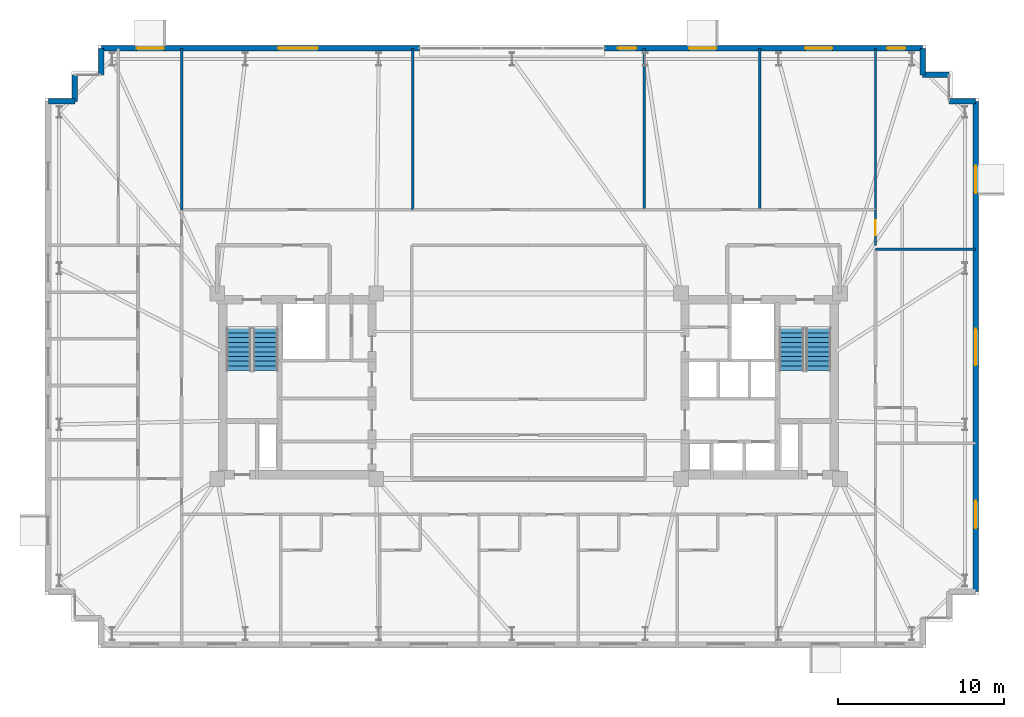
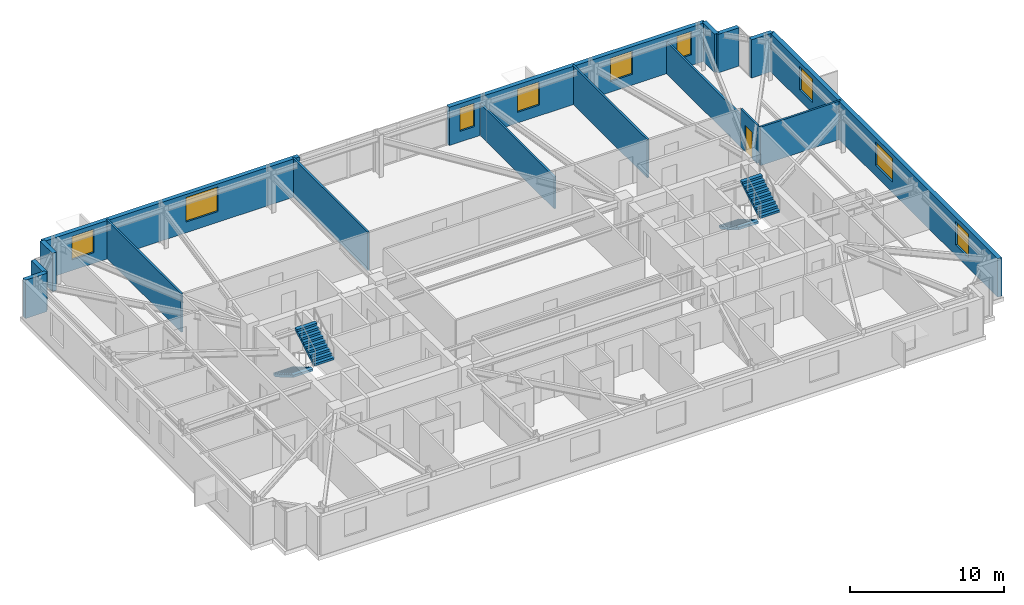
# One storey, part 16 of 18: 16 walls, 9 windows, 4 stair flights, 1 door, 10 openings, 2 elements without a shape of their own.
"""IFC4 building model written with IfcOpenShell, lengths in metres."""

from ifc_helpers import new_model, si_unit, direction, frame, frame_2d, origin, place, context, subcontext, project, spatial, polyline, rectangle, outline, extrude, material, layer, layer_set, type_object, element, fill, aggregate, save


model = new_model("IFC4")

# Units and contexts
model_context = context("Model", 3, precision=1e-05, world=origin(), true_north=direction((0.0, 1.0)))
body_context = subcontext(model_context, "Body", "Model", "MODEL_VIEW")
ifc_project = project(units=[si_unit("LENGTHUNIT", "METRE"), si_unit("AREAUNIT", "SQUARE_METRE"), si_unit("VOLUMEUNIT", "CUBIC_METRE"), si_unit("PLANEANGLEUNIT", "RADIAN"), si_unit("MASSUNIT", "GRAM", prefix="KILO")], contexts=[model_context])

# Site, building, storey
site_placement = place(None, origin())
site = spatial("IfcSite", under=ifc_project, at=site_placement, CompositionType="ELEMENT")
building_placement = place(site_placement, origin())
building = spatial("IfcBuilding", under=site, at=building_placement, Name="Qobustan Lattice House", CompositionType="ELEMENT")
storey_placement = place(building_placement, frame((0.0, 0.0, 154.449951171875)))
storey = spatial("IfcBuildingStorey", under=building, at=storey_placement, Name="L43", CompositionType="ELEMENT", Elevation=154.449951171875)

# Walls
ifc_material_1 = material(Name="Precast concrete C40/50", Category="concrete")
ifc_layer_1 = layer(ifc_material_1, 0.320068359375)
ifc_layer_set_1 = layer_set([ifc_layer_1], Name="Precast concrete C40/50")
wall_type_1 = type_object("IfcWallType", Name="WAL-EXT-STONE-320", PredefinedType="SOLIDWALL", material=ifc_layer_set_1)
for number, where, z_axis, x_axis, name in (
    (1, (-29.0, 17.199951171875, 0.0), (0.0, 0.0, 1.0), (1.0, 0.0, 0.0), "L43 exterior limestone-clad wall 6"),
    (2, (-27.39990234375, 17.199951171875, 0.0), (0.0, 0.0, 1.0), (0.0, 1.0, 0.0), "L43 exterior limestone-clad wall 7"),
):
    element("IfcWall", number, at=place(storey_placement, frame(where, z_axis=z_axis, x_axis=x_axis)), inside=storey, type_object=wall_type_1, Name=name, PredefinedType="SOLIDWALL", context=body_context, shape_type="SweptSolid", body=[
        extrude(rectangle(XDim=1.60009765625, YDim=0.320068359375, at=frame_2d((0.800048828125, 0.0))), origin(), (0.0, 0.0, 1.0), 3.0400390625),
    ])
wall_1_placement = place(storey_placement, frame((-25.800048828125, 18.800048828125, 0.0), z_axis=(0.0, 0.0, 1.0), x_axis=(0.0, 1.0, 0.0)))
element("IfcWall", 3, at=wall_1_placement, inside=storey, type_object=wall_type_1, Name="L43 exterior limestone-clad wall 9", PredefinedType="SOLIDWALL", context=body_context, shape_type="SweptSolid", body=[
    extrude(rectangle(XDim=1.599853515625, YDim=0.320068359375, at=frame_2d((0.7998046875, 0.0))), origin(), (0.0, 0.0, 1.0), 3.0400390625),
])

# Wall, openings, windows
wall_2_placement = place(storey_placement, frame((-25.800048828125, 20.39990234375, 0.0), z_axis=(0.0, 0.0, 1.0), x_axis=(1.0, 0.0, 0.0)))
wall_2 = element("IfcWall", 4, at=wall_2_placement, inside=storey, type_object=wall_type_1, Name="L43 iwan flank stone wall A", PredefinedType="SOLIDWALL", context=body_context, shape_type="SweptSolid", body=[
    extrude(rectangle(XDim=19.199951171875, YDim=0.320068359375, at=frame_2d((9.60009765625, 0.0))), origin(), (0.0, 0.0, 1.0), 3.0400390625),
])
opening_1_placement = place(wall_2_placement, frame((2.135009765625, 0.0, 0.85009765625)))
opening_1 = element("IfcOpeningElement", 5, at=opening_1_placement, cuts=wall_2, Name="Opening WN-09", PredefinedType="OPENING", context=body_context, shape_type="SweptSolid", body=[
    extrude(rectangle(XDim=1.64990234375, YDim=1.85009765625, at=frame_2d((0.824951171875, 0.925048828125))), frame((0.0, 0.169921875, 0.0), z_axis=(0.0, -1.0, 0.0), x_axis=(1.0, 0.0, 0.0)), (0.0, 0.0, 1.0), 0.340087890625),
])
opening_2_placement = place(wall_2_placement, frame((10.679931640625, 0.0, 0.85009765625)))
opening_2 = element("IfcOpeningElement", 6, at=opening_2_placement, cuts=wall_2, Name="Opening WN-10", PredefinedType="OPENING", context=body_context, shape_type="SweptSolid", body=[
    extrude(rectangle(XDim=2.39990234375, YDim=1.949951171875, at=frame_2d((1.199951171875, 0.97509765625))), frame((0.0, 0.169921875, 0.0), z_axis=(0.0, -1.0, 0.0), x_axis=(1.0, 0.0, 0.0)), (0.0, 0.0, 1.0), 0.340087890625),
])
ifc_material_2 = material(Name="Double-glazed low-E aluminium window", Category="aluminium")
window_type_1 = type_object("IfcWindowType", Name="WIN-LNG-2400x1950", PartitioningType="SINGLE_PANEL", PredefinedType="WINDOW", material=ifc_material_2)
window_1_placement = place(opening_2_placement, origin())
window_1 = element("IfcWindow", 7, at=window_1_placement, inside=storey, type_object=window_type_1, Name="L43 Walnut iwan sky lounge N1 window", OverallHeight=1.949951171875, OverallWidth=2.39990234375, PartitioningType="SINGLE_PANEL", PredefinedType="WINDOW", context=body_context, shape_type="SweptSolid", body=[
    extrude(rectangle(XDim=2.39990234375, YDim=1.949951171875, at=frame_2d((1.199951171875, 0.97509765625))), frame((0.0, 0.030029296875, 0.0), z_axis=(0.0, -1.0, 0.0), x_axis=(1.0, 0.0, 0.0)), (0.0, 0.0, 1.0), 0.06005859375),
])
fill(opening_2, window_1)
ifc_material_3 = material(Name="Double-glazed low-E aluminium window", Category="aluminium")
window_type_2 = type_object("IfcWindowType", Name="WIN-STU-1650x1850", PartitioningType="SINGLE_PANEL", PredefinedType="WINDOW", material=ifc_material_3)
window_2_placement = place(opening_1_placement, origin())
window_2 = element("IfcWindow", 8, at=window_2_placement, inside=storey, type_object=window_type_2, Name="L43 Reading seminar room L43WN window", OverallHeight=1.85009765625, OverallWidth=1.64990234375, PartitioningType="SINGLE_PANEL", PredefinedType="WINDOW", context=body_context, shape_type="SweptSolid", body=[
    extrude(rectangle(XDim=1.64990234375, YDim=1.85009765625, at=frame_2d((0.824951171875, 0.925048828125))), frame((0.0, 0.030029296875, 0.0), z_axis=(0.0, -1.0, 0.0), x_axis=(1.0, 0.0, 0.0)), (0.0, 0.0, 1.0), 0.06005859375),
])
fill(opening_1, window_2)

wall_3_placement = place(storey_placement, frame((4.60009765625, 20.39990234375, 0.0), z_axis=(0.0, 0.0, 1.0), x_axis=(1.0, 0.0, 0.0)))
wall_3 = element("IfcWall", 9, at=wall_3_placement, inside=storey, type_object=wall_type_1, Name="L43 iwan flank stone wall B", PredefinedType="SOLIDWALL", context=body_context, shape_type="SweptSolid", body=[
    extrude(rectangle(XDim=19.199951171875, YDim=0.320068359375, at=frame_2d((9.60009765625, 0.0))), origin(), (0.0, 0.0, 1.0), 3.0400390625),
])
opening_3_placement = place(wall_3_placement, frame((0.800048828125, 0.0, 0.85009765625)))
opening_3 = element("IfcOpeningElement", 10, at=opening_3_placement, cuts=wall_3, Name="Opening WN-04", PredefinedType="OPENING", context=body_context, shape_type="SweptSolid", body=[
    extrude(rectangle(XDim=1.10009765625, YDim=1.85009765625, at=frame_2d((0.550048828125, 0.925048828125))), frame((0.0, 0.169921875, 0.0), z_axis=(0.0, -1.0, 0.0), x_axis=(1.0, 0.0, 0.0)), (0.0, 0.0, 1.0), 0.340087890625),
])
opening_4_placement = place(wall_3_placement, frame((5.094970703125, 0.0, 0.85009765625)))
opening_4 = element("IfcOpeningElement", 11, at=opening_4_placement, cuts=wall_3, Name="Opening WN-09", PredefinedType="OPENING", context=body_context, shape_type="SweptSolid", body=[
    extrude(rectangle(XDim=1.64990234375, YDim=1.85009765625, at=frame_2d((0.824951171875, 0.925048828125))), frame((0.0, 0.169921875, 0.0), z_axis=(0.0, -1.0, 0.0), x_axis=(1.0, 0.0, 0.0)), (0.0, 0.0, 1.0), 0.340087890625),
])
opening_5_placement = place(wall_3_placement, frame((12.094970703125, 0.0, 0.85009765625)))
opening_5 = element("IfcOpeningElement", 12, at=opening_5_placement, cuts=wall_3, Name="Opening WN-09", PredefinedType="OPENING", context=body_context, shape_type="SweptSolid", body=[
    extrude(rectangle(XDim=1.64990234375, YDim=1.85009765625, at=frame_2d((0.824951171875, 0.925048828125))), frame((0.0, 0.169921875, 0.0), z_axis=(0.0, -1.0, 0.0), x_axis=(1.0, 0.0, 0.0)), (0.0, 0.0, 1.0), 0.340087890625),
])
opening_6_placement = place(wall_3_placement, frame((17.050048828125, 0.0, 0.85009765625)))
opening_6 = element("IfcOpeningElement", 13, at=opening_6_placement, cuts=wall_3, Name="Opening WN-04", PredefinedType="OPENING", context=body_context, shape_type="SweptSolid", body=[
    extrude(rectangle(XDim=1.10009765625, YDim=1.85009765625, at=frame_2d((0.550048828125, 0.925048828125))), frame((0.0, 0.169921875, 0.0), z_axis=(0.0, -1.0, 0.0), x_axis=(1.0, 0.0, 0.0)), (0.0, 0.0, 1.0), 0.340087890625),
])
ifc_material_4 = material(Name="Double-glazed low-E aluminium window", Category="aluminium")
window_type_3 = type_object("IfcWindowType", Name="WIN-NAR-1100x1850", PartitioningType="SINGLE_PANEL", PredefinedType="WINDOW", material=ifc_material_4)
window_3_placement = place(opening_3_placement, origin())
window_3 = element("IfcWindow", 14, at=window_3_placement, inside=storey, type_object=window_type_3, Name="L43 Walnut iwan sky lounge N2 window", OverallHeight=1.85009765625, OverallWidth=1.10009765625, PartitioningType="SINGLE_PANEL", PredefinedType="WINDOW", context=body_context, shape_type="SweptSolid", body=[
    extrude(rectangle(XDim=1.10009765625, YDim=1.85009765625, at=frame_2d((0.550048828125, 0.925048828125))), frame((0.0, 0.030029296875, 0.0), z_axis=(0.0, -1.0, 0.0), x_axis=(1.0, 0.0, 0.0)), (0.0, 0.0, 1.0), 0.06005859375),
])
fill(opening_3, window_3)
window_4_placement = place(opening_6_placement, origin())
window_4 = element("IfcWindow", 15, at=window_4_placement, inside=storey, type_object=window_type_3, Name="L43 Focus study room E3 window", OverallHeight=1.85009765625, OverallWidth=1.10009765625, PartitioningType="SINGLE_PANEL", PredefinedType="WINDOW", context=body_context, shape_type="SweptSolid", body=[
    extrude(rectangle(XDim=1.10009765625, YDim=1.85009765625, at=frame_2d((0.550048828125, 0.925048828125))), frame((0.0, 0.030029296875, 0.0), z_axis=(0.0, -1.0, 0.0), x_axis=(1.0, 0.0, 0.0)), (0.0, 0.0, 1.0), 0.06005859375),
])
fill(opening_6, window_4)
window_5_placement = place(opening_4_placement, origin())
window_5 = element("IfcWindow", 16, at=window_5_placement, inside=storey, type_object=window_type_2, Name="L43 Focus study room N3A window", OverallHeight=1.85009765625, OverallWidth=1.64990234375, PartitioningType="SINGLE_PANEL", PredefinedType="WINDOW", context=body_context, shape_type="SweptSolid", body=[
    extrude(rectangle(XDim=1.64990234375, YDim=1.85009765625, at=frame_2d((0.824951171875, 0.925048828125))), frame((0.0, 0.030029296875, 0.0), z_axis=(0.0, -1.0, 0.0), x_axis=(1.0, 0.0, 0.0)), (0.0, 0.0, 1.0), 0.06005859375),
])
fill(opening_4, window_5)
window_6_placement = place(opening_5_placement, origin())
window_6 = element("IfcWindow", 17, at=window_6_placement, inside=storey, type_object=window_type_2, Name="L43 Focus study room N3B window", OverallHeight=1.85009765625, OverallWidth=1.64990234375, PartitioningType="SINGLE_PANEL", PredefinedType="WINDOW", context=body_context, shape_type="SweptSolid", body=[
    extrude(rectangle(XDim=1.64990234375, YDim=1.85009765625, at=frame_2d((0.824951171875, 0.925048828125))), frame((0.0, 0.030029296875, 0.0), z_axis=(0.0, -1.0, 0.0), x_axis=(1.0, 0.0, 0.0)), (0.0, 0.0, 1.0), 0.06005859375),
])
fill(opening_5, window_6)

# Walls
for number, where, z_axis, x_axis, name in (
    (18, (23.800048828125, 20.39990234375, 0.0), (0.0, 0.0, 1.0), (0.0, -1.0, 0.0), "L43 exterior limestone-clad wall 11"),
    (19, (23.800048828125, 18.800048828125, 0.0), (0.0, 0.0, 1.0), (1.0, 0.0, 0.0), "L43 exterior limestone-clad wall 12"),
):
    element("IfcWall", number, at=place(storey_placement, frame(where, z_axis=z_axis, x_axis=x_axis)), inside=storey, type_object=wall_type_1, Name=name, PredefinedType="SOLIDWALL", context=body_context, shape_type="SweptSolid", body=[
        extrude(rectangle(XDim=1.599853515625, YDim=0.320068359375, at=frame_2d((0.7998046875, 0.0))), origin(), (0.0, 0.0, 1.0), 3.0400390625),
    ])
wall_4_placement = place(storey_placement, frame((25.39990234375, 17.199951171875, 0.0), z_axis=(0.0, 0.0, 1.0), x_axis=(1.0, 0.0, 0.0)))
element("IfcWall", 20, at=wall_4_placement, inside=storey, type_object=wall_type_1, Name="L43 exterior limestone-clad wall 14", PredefinedType="SOLIDWALL", context=body_context, shape_type="SweptSolid", body=[
    extrude(rectangle(XDim=1.60009765625, YDim=0.320068359375, at=frame_2d((0.800048828125, 0.0))), origin(), (0.0, 0.0, 1.0), 3.0400390625),
])

# Wall, openings, windows
wall_5_placement = place(storey_placement, frame((27.0, 17.199951171875, 0.0), z_axis=(0.0, 0.0, 1.0), x_axis=(0.0, -1.0, 0.0)))
wall_5 = element("IfcWall", 21, at=wall_5_placement, inside=storey, type_object=wall_type_1, Name="L43 exterior limestone-clad wall 15", PredefinedType="SOLIDWALL", context=body_context, shape_type="SweptSolid", body=[
    extrude(rectangle(XDim=29.599853515625, YDim=0.320068359375, at=frame_2d((14.7998046875, 0.0))), origin(), (0.0, 0.0, 1.0), 3.0400390625),
])
opening_7_placement = place(wall_5_placement, frame((3.89501953125, 0.0, 0.85009765625)))
opening_7 = element("IfcOpeningElement", 22, at=opening_7_placement, cuts=wall_5, Name="Opening WN-09", PredefinedType="OPENING", context=body_context, shape_type="SweptSolid", body=[
    extrude(rectangle(XDim=1.64990234375, YDim=1.85009765625, at=frame_2d((0.824951171875, 0.925048828125))), frame((0.0, 0.169921875, 0.0), z_axis=(0.0, -1.0, 0.0), x_axis=(1.0, 0.0, 0.0)), (0.0, 0.0, 1.0), 0.340087890625),
])
opening_8_placement = place(wall_5_placement, frame((13.739990234375, 0.0, 0.85009765625)))
opening_8 = element("IfcOpeningElement", 23, at=opening_8_placement, cuts=wall_5, Name="Opening WN-03", PredefinedType="OPENING", context=body_context, shape_type="SweptSolid", body=[
    extrude(rectangle(XDim=2.199951171875, YDim=1.85009765625, at=frame_2d((1.10009765625, 0.925048828125))), frame((0.0, 0.169921875, 0.0), z_axis=(0.0, -1.0, 0.0), x_axis=(1.0, 0.0, 0.0)), (0.0, 0.0, 1.0), 0.340087890625),
])
opening_9_placement = place(wall_5_placement, frame((24.135009765625, 0.0, 0.85009765625)))
opening_9 = element("IfcOpeningElement", 24, at=opening_9_placement, cuts=wall_5, Name="Opening WN-09", PredefinedType="OPENING", context=body_context, shape_type="SweptSolid", body=[
    extrude(rectangle(XDim=1.64990234375, YDim=1.85009765625, at=frame_2d((0.824951171875, 0.925048828125))), frame((0.0, 0.169921875, 0.0), z_axis=(0.0, -1.0, 0.0), x_axis=(1.0, 0.0, 0.0)), (0.0, 0.0, 1.0), 0.340087890625),
])
window_7_placement = place(opening_7_placement, origin())
window_7 = element("IfcWindow", 25, at=window_7_placement, inside=storey, type_object=window_type_2, Name="L43 Focus study room E3 window", OverallHeight=1.85009765625, OverallWidth=1.64990234375, PartitioningType="SINGLE_PANEL", PredefinedType="WINDOW", context=body_context, shape_type="SweptSolid", body=[
    extrude(rectangle(XDim=1.64990234375, YDim=1.85009765625, at=frame_2d((0.824951171875, 0.925048828125))), frame((0.0, 0.030029296875, 0.0), z_axis=(0.0, -1.0, 0.0), x_axis=(1.0, 0.0, 0.0)), (0.0, 0.0, 1.0), 0.06005859375),
])
fill(opening_7, window_7)
window_8_placement = place(opening_9_placement, origin())
window_8 = element("IfcWindow", 26, at=window_8_placement, inside=storey, type_object=window_type_2, Name="L43 Focus study room E1 window", OverallHeight=1.85009765625, OverallWidth=1.64990234375, PartitioningType="SINGLE_PANEL", PredefinedType="WINDOW", context=body_context, shape_type="SweptSolid", body=[
    extrude(rectangle(XDim=1.64990234375, YDim=1.85009765625, at=frame_2d((0.824951171875, 0.925048828125))), frame((0.0, 0.030029296875, 0.0), z_axis=(0.0, -1.0, 0.0), x_axis=(1.0, 0.0, 0.0)), (0.0, 0.0, 1.0), 0.06005859375),
])
fill(opening_9, window_8)
ifc_material_5 = material(Name="Double-glazed low-E aluminium window", Category="aluminium")
window_type_4 = type_object("IfcWindowType", Name="WIN-WIDE-2200x1850", PartitioningType="SINGLE_PANEL", PredefinedType="WINDOW", material=ifc_material_5)
window_9_placement = place(opening_8_placement, origin())
window_9 = element("IfcWindow", 27, at=window_9_placement, inside=storey, type_object=window_type_4, Name="L43 Kitchenette and studio apartment L43-E2 window", OverallHeight=1.85009765625, OverallWidth=2.199951171875, PartitioningType="SINGLE_PANEL", PredefinedType="WINDOW", context=body_context, shape_type="SweptSolid", body=[
    extrude(rectangle(XDim=2.199951171875, YDim=1.85009765625, at=frame_2d((1.10009765625, 0.925048828125))), frame((0.0, 0.030029296875, 0.0), z_axis=(0.0, -1.0, 0.0), x_axis=(1.0, 0.0, 0.0)), (0.0, 0.0, 1.0), 0.06005859375),
])
fill(opening_8, window_9)

# Wall, opening, door
ifc_material_6 = material(Name="Acoustic twin-stud gypsum partition", Category="gypsum")
ifc_layer_2 = layer(ifc_material_6, 0.14990234375)
ifc_layer_set_2 = layer_set([ifc_layer_2], Name="Acoustic twin-stud gypsum partition")
wall_type_2 = type_object("IfcWallType", Name="WAL-PART-150", PredefinedType="PARTITIONING", material=ifc_layer_set_2)
wall_6_placement = place(storey_placement, frame((20.949951171875, 10.64990234375, 0.0), z_axis=(0.0, 0.0, 1.0), x_axis=(0.0, -1.0, 0.0)))
wall_6 = element("IfcWall", 28, at=wall_6_placement, inside=storey, type_object=wall_type_2, Name="L43 interior partition 38", PredefinedType="PARTITIONING", context=body_context, shape_type="SweptSolid", body=[
    extrude(rectangle(XDim=2.14990234375, YDim=0.14990234375, at=frame_2d((1.074951171875, 0.0))), origin(), (0.0, 0.0, 1.0), 3.0400390625),
])
opening_10_placement = place(wall_6_placement, frame((0.625, 0.0, 0.0)))
opening_10 = element("IfcOpeningElement", 29, at=opening_10_placement, cuts=wall_6, Name="Opening WD-01", PredefinedType="OPENING", context=body_context, shape_type="SweptSolid", body=[
    extrude(rectangle(XDim=0.89990234375, YDim=2.10009765625, at=frame_2d((0.449951171875, 1.050048828125))), frame((0.0, 0.0849609375, 0.0), z_axis=(0.0, -1.0, 0.0), x_axis=(1.0, 0.0, 0.0)), (0.0, 0.0, 1.0), 0.169921875),
])
ifc_material_7 = material(Name="Persian walnut timber and steel frame door", Category="steel")
door_type = type_object("IfcDoorType", Name="DOR-WET-900x2100", OperationType="NOTDEFINED", PredefinedType="DOOR", material=ifc_material_7)
door_placement = place(opening_10_placement, origin())
door = element("IfcDoor", 30, at=door_placement, inside=storey, type_object=door_type, Name="L43 North-east floor corridor to Focus study room E3 door", OperationType="SINGLE_SWING_LEFT", OverallHeight=2.10009765625, OverallWidth=0.89990234375, PredefinedType="DOOR", context=body_context, shape_type="SweptSolid", body=[
    extrude(rectangle(XDim=0.89990234375, YDim=2.10009765625, at=frame_2d((0.449951171875, 1.050048828125))), frame((0.0, 0.02490234375, 0.0), z_axis=(0.0, -1.0, 0.0), x_axis=(1.0, 0.0, 0.0)), (0.0, 0.0, 1.0), 0.050048828125),
])
fill(opening_10, door)

# Walls
wall_7_placement = place(storey_placement, frame((-20.949951171875, 20.39990234375, 0.0), z_axis=(0.0, 0.0, 1.0), x_axis=(0.0, -1.0, 0.0)))
element("IfcWall", 31, at=wall_7_placement, inside=storey, type_object=wall_type_2, Name="L43 interior partition 79", PredefinedType="PARTITIONING", context=body_context, shape_type="SweptSolid", body=[
    extrude(rectangle(XDim=9.75, YDim=0.14990234375, at=frame_2d((4.875, 0.0))), origin(), (0.0, 0.0, 1.0), 3.0400390625),
])
wall_8_placement = place(storey_placement, frame((20.949951171875, 8.260009765625, 0.0), z_axis=(0.0, 0.0, 1.0), x_axis=(1.0, 0.0, 0.0)))
element("IfcWall", 32, at=wall_8_placement, inside=storey, type_object=wall_type_2, Name="L43 interior partition 92", PredefinedType="PARTITIONING", context=body_context, shape_type="SweptSolid", body=[
    extrude(rectangle(XDim=6.050048828125, YDim=0.14990234375, at=frame_2d((3.02490234375, 0.0))), origin(), (0.0, 0.0, 1.0), 3.0400390625),
])
wall_9_placement = place(storey_placement, frame((20.949951171875, 10.64990234375, 0.0), z_axis=(0.0, 0.0, 1.0), x_axis=(0.0, 1.0, 0.0)))
element("IfcWall", 33, at=wall_9_placement, inside=storey, type_object=wall_type_2, Name="L43 interior partition 93", PredefinedType="PARTITIONING", context=body_context, shape_type="SweptSolid", body=[
    extrude(rectangle(XDim=9.75, YDim=0.14990234375, at=frame_2d((4.875, 0.0))), origin(), (0.0, 0.0, 1.0), 2.525146484375),
])
wall_10_placement = place(storey_placement, frame((-6.98291015625, 20.39990234375, 0.0), z_axis=(0.0, 0.0, 1.0), x_axis=(0.0, -1.0, 0.0)))
element("IfcWall", 34, at=wall_10_placement, inside=storey, type_object=wall_type_2, Name="L43 interior partition 94", PredefinedType="PARTITIONING", context=body_context, shape_type="SweptSolid", body=[
    extrude(rectangle(XDim=9.75, YDim=0.14990234375, at=frame_2d((4.875, 0.0))), origin(), (0.0, 0.0, 1.0), 3.0400390625),
])
wall_11_placement = place(storey_placement, frame((6.98291015625, 20.39990234375, 0.0), z_axis=(0.0, 0.0, 1.0), x_axis=(0.0, -1.0, 0.0)))
element("IfcWall", 35, at=wall_11_placement, inside=storey, type_object=wall_type_2, Name="L43 interior partition 95", PredefinedType="PARTITIONING", context=body_context, shape_type="SweptSolid", body=[
    extrude(rectangle(XDim=9.75, YDim=0.14990234375, at=frame_2d((4.875, 0.0))), origin(), (0.0, 0.0, 1.0), 2.525146484375),
])
wall_12_placement = place(storey_placement, frame((13.966552734375, 20.39990234375, 0.0), z_axis=(0.0, 0.0, 1.0), x_axis=(0.0, -1.0, 0.0)))
element("IfcWall", 36, at=wall_12_placement, inside=storey, type_object=wall_type_2, Name="L43 interior partition 96", PredefinedType="PARTITIONING", context=body_context, shape_type="SweptSolid", body=[
    extrude(rectangle(XDim=9.75, YDim=0.14990234375, at=frame_2d((4.875, 0.0))), origin(), (0.0, 0.0, 1.0), 3.0400390625),
])

# Stair, stair flights
ifc_material_8 = material(Name="Concrete C40/50", Category="concrete")
stair_type = type_object("IfcStairType", Name="STR-CORE-DOGLEG", PredefinedType="HALF_TURN_STAIR", material=ifc_material_8)
stair_1_placement = place(storey_placement, origin())
stair_1 = element("IfcStair", 37, at=stair_1_placement, inside=storey, type_object=stair_type, Name="L43 West protected exit stair ST-W1", PredefinedType="HALF_TURN_STAIR")
ifc_material_9 = material(Name="Concrete C40/50", Category="concrete")
stair_flight_type = type_object("IfcStairFlightType", Name="SFL-RC-1500", PredefinedType="STRAIGHT", material=ifc_material_9)
stair_flight_1_placement = place(storey_placement, frame((-17.5, 3.5, 0.0), z_axis=(0.0, 0.0, 1.0), x_axis=(0.0, -1.0, 0.0)))
stair_flight_1 = element("IfcStairFlight", 38, at=stair_flight_1_placement, type_object=stair_flight_type, Name="ST-W1 flight 1", NumberOfRisers=10, NumberOfTreads=9, PredefinedType="STRAIGHT", RiserHeight=0.1675, TreadLength=0.285, context=body_context, shape_type="SweptSolid", body=[
    extrude(outline(polyline([(0.0, 0.0), (0.0, 0.16748046875), (0.284912109375, 0.16748046875), (0.284912109375, 0.3349609375), (0.570068359375, 0.3349609375), (0.570068359375, 0.50244140625), (0.85498046875, 0.50244140625), (0.85498046875, 0.669921875), (1.139892578125, 0.669921875), (1.139892578125, 0.83740234375), (1.425048828125, 0.83740234375), (1.425048828125, 1.0048828125), (1.7099609375, 1.0048828125), (1.7099609375, 1.172607421875), (1.9951171875, 1.172607421875), (1.9951171875, 1.340087890625), (2.280029296875, 1.340087890625), (2.280029296875, 1.507568359375), (2.56494140625, 1.507568359375), (2.56494140625, 1.675048828125), (2.56494140625, 1.333740234375), (0.2958984375, 0.0), (0.0, 0.0)])), frame((0.0, 0.75, 0.0), z_axis=(0.0, -1.0, 0.0), x_axis=(1.0, 0.0, 0.0)), (0.0, 0.0, 1.0), 1.5),
])
stair_flight_2_placement = place(storey_placement, frame((-15.8798828125, 0.93505859375, 1.675048828125), z_axis=(0.0, 0.0, 1.0), x_axis=(0.0, 1.0, 0.0)))
stair_flight_2 = element("IfcStairFlight", 39, at=stair_flight_2_placement, type_object=stair_flight_type, Name="ST-W1 flight 2", NumberOfRisers=10, NumberOfTreads=9, PredefinedType="STRAIGHT", RiserHeight=0.1675, TreadLength=0.285, context=body_context, shape_type="SweptSolid", body=[
    extrude(outline(polyline([(0.0, 0.0), (0.0, 0.16748046875), (0.284912109375, 0.16748046875), (0.284912109375, 0.3349609375), (0.570068359375, 0.3349609375), (0.570068359375, 0.50244140625), (0.85498046875, 0.50244140625), (0.85498046875, 0.669921875), (1.139892578125, 0.669921875), (1.139892578125, 0.83740234375), (1.425048828125, 0.83740234375), (1.425048828125, 1.0048828125), (1.7099609375, 1.0048828125), (1.7099609375, 1.172607421875), (1.9951171875, 1.172607421875), (1.9951171875, 1.340087890625), (2.280029296875, 1.340087890625), (2.280029296875, 1.507568359375), (2.56494140625, 1.507568359375), (2.56494140625, 1.675048828125), (2.56494140625, 1.333740234375), (0.2958984375, 0.0), (0.0, 0.0)])), frame((0.0, 0.75, 0.0), z_axis=(0.0, -1.0, 0.0), x_axis=(1.0, 0.0, 0.0)), (0.0, 0.0, 1.0), 1.5),
])
aggregate(stair_1, [stair_flight_1, stair_flight_2])

stair_2_placement = place(storey_placement, origin())
stair_2 = element("IfcStair", 40, at=stair_2_placement, inside=storey, type_object=stair_type, Name="L43 East protected exit stair ST-E1", PredefinedType="HALF_TURN_STAIR")
stair_flight_3_placement = place(storey_placement, frame((15.8798828125, 3.5, 0.0), z_axis=(0.0, 0.0, 1.0), x_axis=(0.0, -1.0, 0.0)))
stair_flight_3 = element("IfcStairFlight", 41, at=stair_flight_3_placement, type_object=stair_flight_type, Name="ST-E1 flight 1", NumberOfRisers=10, NumberOfTreads=9, PredefinedType="STRAIGHT", RiserHeight=0.1675, TreadLength=0.285, context=body_context, shape_type="SweptSolid", body=[
    extrude(outline(polyline([(0.0, 0.0), (0.0, 0.16748046875), (0.284912109375, 0.16748046875), (0.284912109375, 0.3349609375), (0.570068359375, 0.3349609375), (0.570068359375, 0.50244140625), (0.85498046875, 0.50244140625), (0.85498046875, 0.669921875), (1.139892578125, 0.669921875), (1.139892578125, 0.83740234375), (1.425048828125, 0.83740234375), (1.425048828125, 1.0048828125), (1.7099609375, 1.0048828125), (1.7099609375, 1.172607421875), (1.9951171875, 1.172607421875), (1.9951171875, 1.340087890625), (2.280029296875, 1.340087890625), (2.280029296875, 1.507568359375), (2.56494140625, 1.507568359375), (2.56494140625, 1.675048828125), (2.56494140625, 1.333740234375), (0.2958984375, 0.0), (0.0, 0.0)])), frame((0.0, 0.75, 0.0), z_axis=(0.0, -1.0, 0.0), x_axis=(1.0, 0.0, 0.0)), (0.0, 0.0, 1.0), 1.5),
])
stair_flight_4_placement = place(storey_placement, frame((17.5, 0.93505859375, 1.675048828125), z_axis=(0.0, 0.0, 1.0), x_axis=(0.0, 1.0, 0.0)))
stair_flight_4 = element("IfcStairFlight", 42, at=stair_flight_4_placement, type_object=stair_flight_type, Name="ST-E1 flight 2", NumberOfRisers=10, NumberOfTreads=9, PredefinedType="STRAIGHT", RiserHeight=0.1675, TreadLength=0.285, context=body_context, shape_type="SweptSolid", body=[
    extrude(outline(polyline([(0.0, 0.0), (0.0, 0.16748046875), (0.284912109375, 0.16748046875), (0.284912109375, 0.3349609375), (0.570068359375, 0.3349609375), (0.570068359375, 0.50244140625), (0.85498046875, 0.50244140625), (0.85498046875, 0.669921875), (1.139892578125, 0.669921875), (1.139892578125, 0.83740234375), (1.425048828125, 0.83740234375), (1.425048828125, 1.0048828125), (1.7099609375, 1.0048828125), (1.7099609375, 1.172607421875), (1.9951171875, 1.172607421875), (1.9951171875, 1.340087890625), (2.280029296875, 1.340087890625), (2.280029296875, 1.507568359375), (2.56494140625, 1.507568359375), (2.56494140625, 1.675048828125), (2.56494140625, 1.333740234375), (0.2958984375, 0.0), (0.0, 0.0)])), frame((0.0, 0.75, 0.0), z_axis=(0.0, -1.0, 0.0), x_axis=(1.0, 0.0, 0.0)), (0.0, 0.0, 1.0), 1.5),
])
aggregate(stair_2, [stair_flight_3, stair_flight_4])

save(model, "model.ifc")
